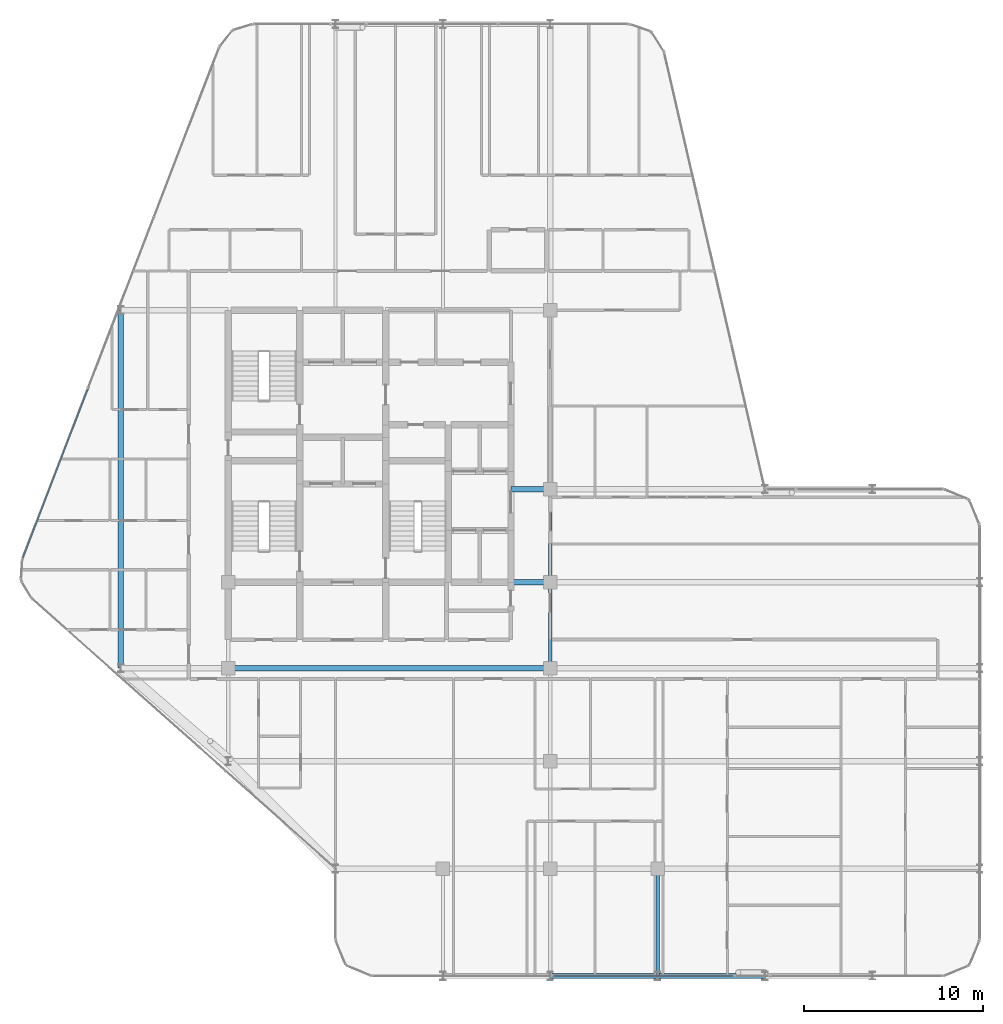
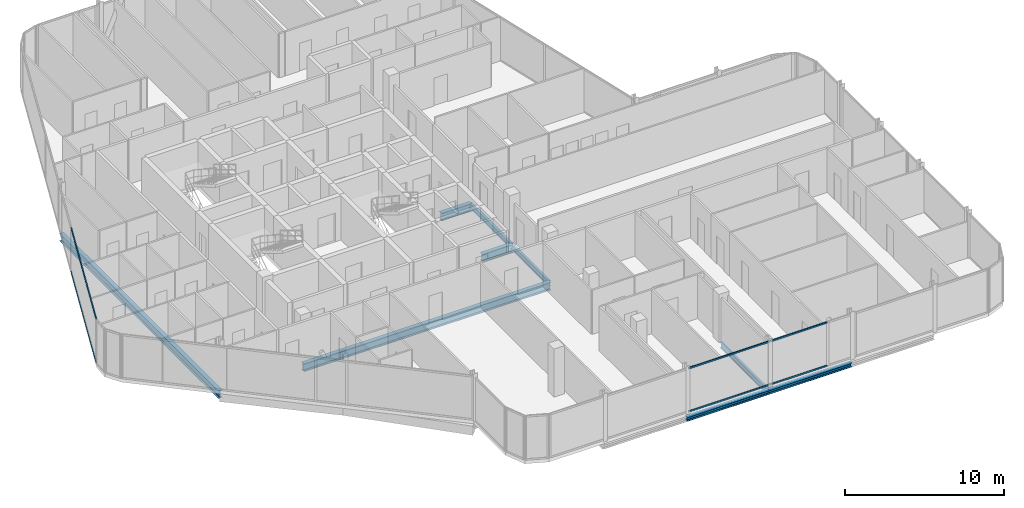
# One storey, part 9 of 29: 9 beams, 4 members, 2 elements without a shape of their own.
"""IFC4 building model written with IfcOpenShell, lengths in metres."""

from ifc_helpers import new_model, si_unit, direction, frame, origin, origin_2d, place, context, subcontext, project, spatial, hollow_rectangle, i_section, extrude, material, layer, layer_set, material_profile, profile_set, type_object, element, aggregate, save


model = new_model("IFC4")

# Units and contexts
model_context = context("Model", 3, precision=1e-05, world=origin(), true_north=direction((0.0, 1.0)))
body_context = subcontext(model_context, "Body", "Model", "MODEL_VIEW")
ifc_project = project(units=[si_unit("LENGTHUNIT", "METRE"), si_unit("AREAUNIT", "SQUARE_METRE"), si_unit("VOLUMEUNIT", "CUBIC_METRE"), si_unit("PLANEANGLEUNIT", "RADIAN"), si_unit("MASSUNIT", "GRAM", prefix="KILO")], contexts=[model_context])

# Site, building, storey
site_placement = place(None, origin())
site = spatial("IfcSite", under=ifc_project, at=site_placement, CompositionType="ELEMENT")
building_placement = place(site_placement, origin())
building = spatial("IfcBuilding", under=site, at=building_placement, Name="Keshet Zoharim Tower", CompositionType="ELEMENT")
storey_placement = place(building_placement, frame((0.0, 0.0, 206.89990234375)))
storey = spatial("IfcBuildingStorey", under=building, at=storey_placement, Name="L51", CompositionType="ELEMENT", Elevation=206.89990234375)

# Beams
ifc_material_1 = material(Name="Steel S355", Category="steel")
ifc_material_profile_1 = material_profile(ifc_material_1, i_section(OverallWidth=0.300048828125, OverallDepth=0.60009765625, WebThickness=0.015380859375, FlangeThickness=0.030029296875, FilletRadius=0.027099609375, at=origin_2d()), Name="HEB600")
ifc_profile_set_1 = profile_set([ifc_material_profile_1], Name="Steel S355")
beam_type_1 = type_object("IfcBeamType", Name="BM-CLK-HB600", PredefinedType="BEAM", material=ifc_profile_set_1)
for number, where, z_axis, x_axis, name in (
    (1, (30.800048828125, 22.699951171875, -0.60986328125), (1.0, 0.0, 0.0), (0.0, 1.0, 0.0), "L51 Core Wall Link Girder 01"),
    (2, (30.800048828125, 27.89990234375, -0.60986328125), (1.0, 0.0, 0.0), (0.0, 1.0, 0.0), "L51 Core Wall Link Girder 02"),
):
    element("IfcBeam", number, at=place(storey_placement, frame(where, z_axis=z_axis, x_axis=x_axis)), inside=storey, type_object=beam_type_1, Name=name, PredefinedType="BEAM", context=body_context, shape_type="SweptSolid", body=[
        extrude(i_section(OverallWidth=0.300048828125, OverallDepth=0.60009765625, WebThickness=0.015380859375, FlangeThickness=0.030029296875, FilletRadius=0.027099609375, at=origin_2d()), origin(), (0.0, 0.0, 1.0), 2.199951171875),
    ])
ifc_material_profile_2 = material_profile(ifc_material_1, i_section(OverallWidth=0.300048828125, OverallDepth=0.60009765625, WebThickness=0.015380859375, FlangeThickness=0.030029296875, FilletRadius=0.027099609375, at=origin_2d()), Name="HEB600")
ifc_profile_set_2 = profile_set([ifc_material_profile_2], Name="Steel S355")
beam_type_2 = type_object("IfcBeamType", Name="BM-LNG-HB600", PredefinedType="BEAM", material=ifc_profile_set_2)
beam_1_placement = place(storey_placement, frame((15.0, 17.89990234375, -0.60986328125), z_axis=(1.0, 0.0, 0.0), x_axis=(0.0, 1.0, 0.0)))
element("IfcBeam", 3, at=beam_1_placement, inside=storey, type_object=beam_type_2, Name="L51 Primary Girder X-012", PredefinedType="BEAM", context=body_context, shape_type="SweptSolid", body=[
    extrude(i_section(OverallWidth=0.300048828125, OverallDepth=0.60009765625, WebThickness=0.015380859375, FlangeThickness=0.030029296875, FilletRadius=0.027099609375, at=origin_2d()), origin(), (0.0, 0.0, 1.0), 18.0),
])
beam_2_placement = place(storey_placement, frame((9.0, 17.89990234375, -0.60986328125), z_axis=(0.0, 1.0, 0.0), x_axis=(-1.0, 0.0, 0.0)))
element("IfcBeam", 4, at=beam_2_placement, inside=storey, type_object=beam_type_2, Name="L51 Primary Girder Y-001", PredefinedType="BEAM", context=body_context, shape_type="SweptSolid", body=[
    extrude(i_section(OverallWidth=0.300048828125, OverallDepth=0.60009765625, WebThickness=0.015380859375, FlangeThickness=0.030029296875, FilletRadius=0.027099609375, at=origin_2d()), origin(), (0.0, 0.0, 1.0), 20.0),
])
ifc_material_profile_3 = material_profile(ifc_material_1, i_section(OverallWidth=0.300048828125, OverallDepth=0.300048828125, WebThickness=0.010986328125, FlangeThickness=0.01904296875, FilletRadius=0.027099609375, at=origin_2d()), Name="HEB300")
ifc_profile_set_3 = profile_set([ifc_material_profile_3], Name="Steel S355")
beam_type_3 = type_object("IfcBeamType", Name="BM-PRI-HB300", PredefinedType="BEAM", material=ifc_profile_set_3)
for number, where, z_axis, x_axis, name in (
    (5, (33.0, 0.699951171875, -0.4599609375), (1.0, 0.0, 0.0), (0.0, 1.0, 0.0), "L51 Primary Girder X-002"),
    (6, (39.0, 0.699951171875, -0.4599609375), (1.0, 0.0, 0.0), (0.0, 1.0, 0.0), "L51 Primary Girder X-003"),
):
    element("IfcBeam", number, at=place(storey_placement, frame(where, z_axis=z_axis, x_axis=x_axis)), inside=storey, type_object=beam_type_3, Name=name, PredefinedType="BEAM", context=body_context, shape_type="SweptSolid", body=[
        extrude(i_section(OverallWidth=0.300048828125, OverallDepth=0.300048828125, WebThickness=0.010986328125, FlangeThickness=0.01904296875, FilletRadius=0.027099609375, at=origin_2d()), origin(), (0.0, 0.0, 1.0), 6.0),
    ])
ifc_material_profile_4 = material_profile(ifc_material_1, i_section(OverallWidth=0.179931640625, OverallDepth=0.39990234375, WebThickness=0.008544921875, FlangeThickness=0.013427734375, FilletRadius=0.02099609375, at=origin_2d()), Name="IPE400")
ifc_profile_set_4 = profile_set([ifc_material_profile_4], Name="Steel S355")
beam_type_4 = type_object("IfcBeamType", Name="BM-PRI-IP400", PredefinedType="BEAM", material=ifc_profile_set_4)
beam_3_placement = place(storey_placement, frame((33.0, 17.89990234375, -0.510009765625), z_axis=(0.0, 1.0, 0.0), x_axis=(-1.0, 0.0, 0.0)))
element("IfcBeam", 7, at=beam_3_placement, inside=storey, type_object=beam_type_4, Name="L51 Primary Girder Y-008", PredefinedType="BEAM", context=body_context, shape_type="SweptSolid", body=[
    extrude(i_section(OverallWidth=0.179931640625, OverallDepth=0.39990234375, WebThickness=0.008544921875, FlangeThickness=0.013427734375, FilletRadius=0.02099609375, at=origin_2d()), origin(), (0.0, 0.0, 1.0), 4.800048828125),
])
beam_4_placement = place(storey_placement, frame((33.0, 22.699951171875, -0.510009765625), z_axis=(0.0, 1.0, 0.0), x_axis=(-1.0, 0.0, 0.0)))
element("IfcBeam", 8, at=beam_4_placement, inside=storey, type_object=beam_type_4, Name="L51 Primary Girder Y-009", PredefinedType="BEAM", context=body_context, shape_type="SweptSolid", body=[
    extrude(i_section(OverallWidth=0.179931640625, OverallDepth=0.39990234375, WebThickness=0.008544921875, FlangeThickness=0.013427734375, FilletRadius=0.02099609375, at=origin_2d()), origin(), (0.0, 0.0, 1.0), 5.199951171875),
])
beam_5_placement = place(storey_placement, frame((39.0, 0.699951171875, -0.510009765625), z_axis=(0.0, 1.0, 0.0), x_axis=(-1.0, 0.0, 0.0)))
element("IfcBeam", 9, at=beam_5_placement, inside=storey, type_object=beam_type_4, Name="L51 Primary Girder Y-012", PredefinedType="BEAM", context=body_context, shape_type="SweptSolid", body=[
    extrude(i_section(OverallWidth=0.179931640625, OverallDepth=0.39990234375, WebThickness=0.008544921875, FlangeThickness=0.013427734375, FilletRadius=0.02099609375, at=origin_2d()), origin(), (0.0, 0.0, 1.0), 6.0),
])

# Curtain wall, members
ifc_material_2 = material(Name="Aluminium 6063-T6", Category="aluminium")
ifc_layer = layer(ifc_material_2, 0.139892578125)
ifc_layer_set = layer_set([ifc_layer], Name="Aluminium 6063-T6")
curtain_wall_type = type_object("IfcCurtainWallType", Name="CW-SYS-05", PredefinedType="NOTDEFINED", material=ifc_layer_set)
curtain_wall_1_placement = place(storey_placement, origin())
curtain_wall_1 = element("IfcCurtainWall", 10, at=curtain_wall_1_placement, inside=storey, type_object=curtain_wall_type, Name="L51 Unitised Curtain Wall 06 Part 3", PredefinedType="NOTDEFINED")
ifc_material_profile_5 = material_profile(ifc_material_2, hollow_rectangle(XDim=0.074951171875, YDim=0.1201171875, WallThickness=0.00390625, at=origin_2d()), Name="TRN-75x120")
ifc_profile_set_5 = profile_set([ifc_material_profile_5], Name="Aluminium 6063-T6")
member_type = type_object("IfcMemberType", Name="CWT-T12", PredefinedType="USERDEFINED", material=ifc_profile_set_5)
member_1_placement = place(storey_placement, frame((43.251953125, 0.699951171875, 0.03515625), z_axis=(-1.0, 0.0, 0.0), x_axis=(0.0, -1.0, 0.0)))
member_1 = element("IfcMember", 11, at=member_1_placement, type_object=member_type, Name="CW-05 transom 1.1", ObjectType="TRANSOM", PredefinedType="USERDEFINED", context=body_context, shape_type="SweptSolid", body=[
    extrude(hollow_rectangle(XDim=0.074951171875, YDim=0.1201171875, WallThickness=0.00390625, at=origin_2d()), origin(), (0.0, 0.0, 1.0), 10.091064453125),
])
member_2_placement = place(storey_placement, frame((43.251953125, 0.699951171875, 3.35498046875), z_axis=(-1.0, 0.0, 0.0), x_axis=(0.0, -1.0, 0.0)))
member_2 = element("IfcMember", 12, at=member_2_placement, type_object=member_type, Name="CW-05 transom 1.2", ObjectType="TRANSOM", PredefinedType="USERDEFINED", context=body_context, shape_type="SweptSolid", body=[
    extrude(hollow_rectangle(XDim=0.074951171875, YDim=0.1201171875, WallThickness=0.00390625, at=origin_2d()), origin(), (0.0, 0.0, 1.0), 10.091064453125),
])
aggregate(curtain_wall_1, [member_1, member_2])

curtain_wall_2_placement = place(storey_placement, origin())
curtain_wall_2 = element("IfcCurtainWall", 13, at=curtain_wall_2_placement, inside=storey, type_object=curtain_wall_type, Name="L51 Unitised Curtain Wall 13", PredefinedType="NOTDEFINED")
member_3_placement = place(storey_placement, frame((3.522216796875, 24.058349609375, 0.03515625), z_axis=(0.358993631387, 0.93334000912, 0.0), x_axis=(-0.93334000912, 0.358993631387, 0.0)))
member_3 = element("IfcMember", 14, at=member_3_placement, type_object=member_type, Name="CW-05 transom 1.1", ObjectType="TRANSOM", PredefinedType="USERDEFINED", context=body_context, shape_type="SweptSolid", body=[
    extrude(hollow_rectangle(XDim=0.074951171875, YDim=0.1201171875, WallThickness=0.00390625, at=origin_2d()), origin(), (0.0, 0.0, 1.0), 10.1181640625),
])
member_4_placement = place(storey_placement, frame((3.522216796875, 24.058349609375, 3.35498046875), z_axis=(0.358993631387, 0.93334000912, 0.0), x_axis=(-0.93334000912, 0.358993631387, 0.0)))
member_4 = element("IfcMember", 15, at=member_4_placement, type_object=member_type, Name="CW-05 transom 1.2", ObjectType="TRANSOM", PredefinedType="USERDEFINED", context=body_context, shape_type="SweptSolid", body=[
    extrude(hollow_rectangle(XDim=0.074951171875, YDim=0.1201171875, WallThickness=0.00390625, at=origin_2d()), origin(), (0.0, 0.0, 1.0), 10.1181640625),
])
aggregate(curtain_wall_2, [member_3, member_4])

save(model, "model.ifc")
